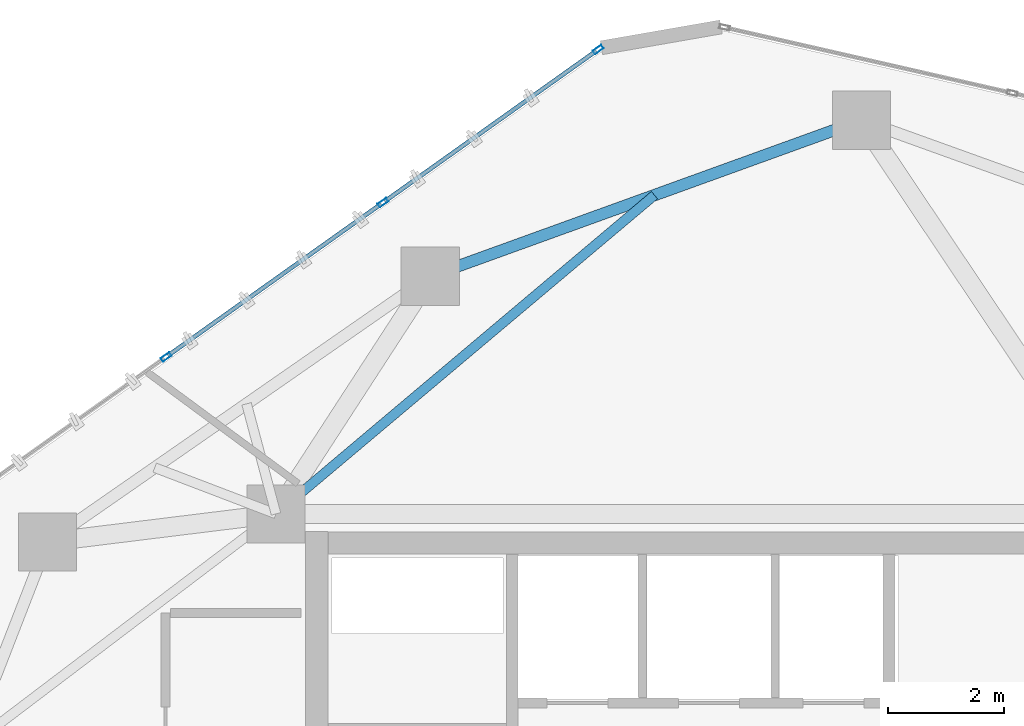
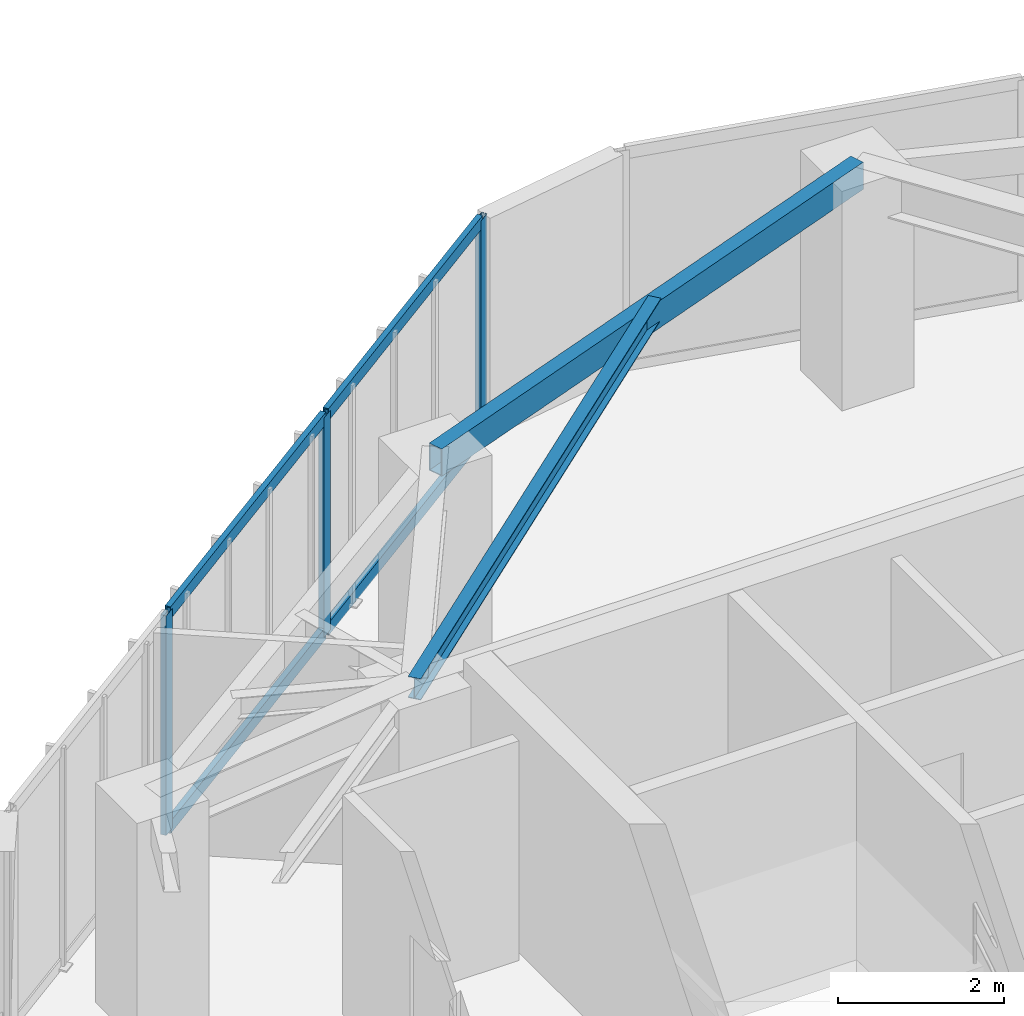
# One storey, part 12 of 19: 7 members, 2 beams, 1 element without a shape of its own.
"""IFC4 building model written with IfcOpenShell, lengths in metres."""

from ifc_helpers import new_model, si_unit, direction, frame, origin, origin_2d, place, context, subcontext, project, spatial, hollow_rectangle, i_section, extrude, source, transform, mapped, material, layer, layer_set, material_profile, profile_set, type_object, type_shapes, element, aggregate, save


model = new_model("IFC4")

# Units and contexts
model_context = context("Model", 3, precision=1e-05, world=origin(), true_north=direction((0.0, 1.0)))
body_context = subcontext(model_context, "Body", "Model", "MODEL_VIEW")
ifc_project = project(units=[si_unit("LENGTHUNIT", "METRE"), si_unit("AREAUNIT", "SQUARE_METRE"), si_unit("VOLUMEUNIT", "CUBIC_METRE"), si_unit("PLANEANGLEUNIT", "RADIAN"), si_unit("MASSUNIT", "GRAM", prefix="KILO")], contexts=[model_context])

# Site, building, storey
site_placement = place(None, origin())
site = spatial("IfcSite", under=ifc_project, at=site_placement, CompositionType="ELEMENT")
building_placement = place(site_placement, origin())
building = spatial("IfcBuilding", under=site, at=building_placement, Name="Talar Marvaseh", CompositionType="ELEMENT")
storey_placement = place(building_placement, frame((0.0, 0.0, 195.0)))
storey = spatial("IfcBuildingStorey", under=building, at=storey_placement, Name="L51", CompositionType="ELEMENT", Elevation=195.0)

# Beams
ifc_material_1 = material(Name="Steel S355", Category="steel")
ifc_material_profile_1 = material_profile(ifc_material_1, hollow_rectangle(XDim=0.199951171875, YDim=0.39990234375, WallThickness=0.013916015625, at=origin_2d()), Name="RHS400x200x14")
ifc_profile_set_1 = profile_set([ifc_material_profile_1], Name="Steel S355")
beam_type_1 = type_object("IfcBeamType", Name="Zone 3 Perimeter Spandrel Beam RHS400x200x14", PredefinedType="SPANDREL", material=ifc_profile_set_1)
beam_1_placement = place(storey_placement, frame((21.35205078125, 40.986083984375, 3.030029296875), z_axis=(0.940368006783, 0.340158803824, 0.0), x_axis=(-0.340158803824, 0.940368006783, 0.0)))
element("IfcBeam", 1, at=beam_1_placement, inside=storey, type_object=beam_type_1, Name="L51 Zone 3 Perimeter Spandrel Beam RHS400x200x14", PredefinedType="SPANDREL", context=body_context, shape_type="SweptSolid", body=[
    extrude(hollow_rectangle(XDim=0.199951171875, YDim=0.39990234375, WallThickness=0.013916015625, at=origin_2d()), origin(), (0.0, 0.0, 1.0), 7.88427734375),
])
ifc_material_profile_2 = material_profile(ifc_material_1, i_section(OverallWidth=0.166015625, OverallDepth=0.31298828125, WebThickness=0.006591796875, FlangeThickness=0.01123046875, at=origin_2d()), Name="W310x45")
ifc_profile_set_2 = profile_set([ifc_material_profile_2], Name="Steel S355")
beam_type_2 = type_object("IfcBeamType", Name="Zone 3 Secondary Floor Joist W310x45", PredefinedType="JOIST", material=ifc_profile_set_2)
beam_2_placement = place(storey_placement, frame((25.207275390625, 42.380615234375, 3.073486328125), z_axis=(-0.76486133839, -0.644194949558, 0.0), x_axis=(0.644194949558, -0.76486133839, 0.0)))
element("IfcBeam", 2, at=beam_2_placement, inside=storey, type_object=beam_type_2, Name="L51 Zone 3 Secondary Floor Joist W310x45", PredefinedType="JOIST", context=body_context, shape_type="SweptSolid", body=[
    extrude(i_section(OverallWidth=0.166015625, OverallDepth=0.31298828125, WebThickness=0.006591796875, FlangeThickness=0.01123046875, at=origin_2d()), origin(), (0.0, 0.0, 1.0), 8.5078125),
])

# Curtain wall, members
ifc_material_2 = material(Name="Architectural Aluminium", Category="aluminium")
ifc_layer = layer(ifc_material_2, 0.18994140625)
ifc_layer_set = layer_set([ifc_layer], Name="Architectural Aluminium")
curtain_wall_type = type_object("IfcCurtainWallType", Name="Unitised Solar Atelier Curtain Wall Z3", PredefinedType="NOTDEFINED", material=ifc_layer_set)
curtain_wall_placement = place(storey_placement, origin())
curtain_wall = element("IfcCurtainWall", 3, at=curtain_wall_placement, inside=storey, type_object=curtain_wall_type, Name="L51 Unitised Solar Atelier Curtain Wall Z3", PredefinedType="NOTDEFINED")
ifc_material_profile_3 = material_profile(ifc_material_2, hollow_rectangle(XDim=0.074951171875, YDim=0.179931640625, WallThickness=0.0048828125, at=origin_2d()), Name="RHS180x75x5")
ifc_profile_set_3 = profile_set([ifc_material_profile_3], Name="Architectural Aluminium")
member_type_1 = type_object("IfcMemberType", Name="Unitised Curtain Wall Standard Mullion RHS180x75x5", PredefinedType="MULLION", material=ifc_profile_set_3)
shared_shape_1 = source(origin(), body_context, "Body", "SweptSolid", [
    extrude(hollow_rectangle(XDim=0.074951171875, YDim=0.179931640625, WallThickness=0.0048828125, at=origin_2d()), origin(), (0.0, 0.0, 1.0), 3.22998046875),
])
type_shapes(member_type_1, [shared_shape_1])
member_1_placement = place(storey_placement, frame((16.810302734375, 39.598388671875, 0.0), z_axis=(0.0, 0.0, 1.0), x_axis=(-0.579739587699, 0.81480182281, 0.0)))
member_1 = element("IfcMember", 4, at=member_1_placement, type_object=member_type_1, Name="CW-Z3 mullion 2", PredefinedType="MULLION", context=body_context, shape_type="MappedRepresentation", body=[
    mapped(shared_shape_1, transform((0.0, 0.0, 0.0), x_axis=(1.0, 0.0, 0.0), y_axis=(0.0, 1.0, 0.0), z_axis=(0.0, 0.0, 1.0), scale=1.0)),
])
member_2_placement = place(storey_placement, frame((20.539794921875, 42.251953125, 0.0), z_axis=(0.0, 0.0, 1.0), x_axis=(-0.579739587699, 0.81480182281, 0.0)))
member_2 = element("IfcMember", 5, at=member_2_placement, type_object=member_type_1, Name="CW-Z3 mullion 3", PredefinedType="MULLION", context=body_context, shape_type="MappedRepresentation", body=[
    mapped(shared_shape_1, transform((0.0, 0.0, 0.0), x_axis=(1.0, 0.0, 0.0), y_axis=(0.0, 1.0, 0.0), z_axis=(0.0, 0.0, 1.0), scale=1.0)),
])
member_3_placement = place(storey_placement, frame((24.23876953125, 44.8837890625, 0.0), z_axis=(0.0, 0.0, 1.0), x_axis=(-0.579739587699, 0.81480182281, 0.0)))
member_3 = element("IfcMember", 6, at=member_3_placement, type_object=member_type_1, Name="CW-Z3 mullion 4", PredefinedType="MULLION", context=body_context, shape_type="MappedRepresentation", body=[
    mapped(shared_shape_1, transform((0.0, 0.0, 0.0), x_axis=(1.0, 0.0, 0.0), y_axis=(0.0, 1.0, 0.0), z_axis=(0.0, 0.0, 1.0), scale=1.0)),
])
ifc_material_profile_4 = material_profile(ifc_material_2, hollow_rectangle(XDim=0.074951171875, YDim=0.179931640625, WallThickness=0.0048828125, at=origin_2d()), Name="RHS180x75x5")
ifc_profile_set_4 = profile_set([ifc_material_profile_4], Name="Architectural Aluminium")
member_type_2 = type_object("IfcMemberType", Name="Unitised Curtain Wall Transom RHS180x75x5", PredefinedType="USERDEFINED", material=ifc_profile_set_4)
shared_shape_2 = source(origin(), body_context, "Body", "SweptSolid", [
    extrude(hollow_rectangle(XDim=0.074951171875, YDim=0.179931640625, WallThickness=0.0048828125, at=origin_2d()), origin(), (0.0, 0.0, 1.0), 4.502197265625),
])
member_4_placement = place(storey_placement, frame((16.8408203125, 39.6201171875, 0.03759765625), z_axis=(0.814805619055, 0.579734252184, 0.0), x_axis=(-0.579734252184, 0.814805619055, 0.0)))
member_4 = element("IfcMember", 7, at=member_4_placement, type_object=member_type_2, Name="CW-Z3 transom 2.1", ObjectType="TRANSOM", PredefinedType="USERDEFINED", context=body_context, shape_type="MappedRepresentation", body=[
    mapped(shared_shape_2, transform((0.0, 0.0, 0.0), x_axis=(1.0, 0.0, 0.0), y_axis=(0.0, 1.0, 0.0), z_axis=(0.0, 0.0, 1.0), scale=1.0)),
])
member_5_placement = place(storey_placement, frame((16.8408203125, 39.6201171875, 3.1923828125), z_axis=(0.814805619055, 0.579734252184, 0.0), x_axis=(-0.579734252184, 0.814805619055, 0.0)))
member_5 = element("IfcMember", 8, at=member_5_placement, type_object=member_type_2, Name="CW-Z3 transom 2.2", ObjectType="TRANSOM", PredefinedType="USERDEFINED", context=body_context, shape_type="MappedRepresentation", body=[
    mapped(shared_shape_2, transform((0.0, 0.0, 0.0), x_axis=(1.0, 0.0, 0.0), y_axis=(0.0, 1.0, 0.0), z_axis=(0.0, 0.0, 1.0), scale=1.0)),
])
shared_shape_3 = source(origin(), body_context, "Body", "SweptSolid", [
    extrude(hollow_rectangle(XDim=0.074951171875, YDim=0.179931640625, WallThickness=0.0048828125, at=origin_2d()), origin(), (0.0, 0.0, 1.0), 4.46484375),
])
type_shapes(member_type_2, [shared_shape_2, shared_shape_3])
member_6_placement = place(storey_placement, frame((20.5703125, 42.273681640625, 0.03759765625), z_axis=(0.814807233205, 0.579731983521, 0.0), x_axis=(-0.579731983521, 0.814807233205, 0.0)))
member_6 = element("IfcMember", 9, at=member_6_placement, type_object=member_type_2, Name="CW-Z3 transom 3.1", ObjectType="TRANSOM", PredefinedType="USERDEFINED", context=body_context, shape_type="MappedRepresentation", body=[
    mapped(shared_shape_3, transform((0.0, 0.0, 0.0), x_axis=(1.0, 0.0, 0.0), y_axis=(0.0, 1.0, 0.0), z_axis=(0.0, 0.0, 1.0), scale=1.0)),
])
member_7_placement = place(storey_placement, frame((20.5703125, 42.273681640625, 3.1923828125), z_axis=(0.814807233205, 0.579731983521, 0.0), x_axis=(-0.579731983521, 0.814807233205, 0.0)))
member_7 = element("IfcMember", 10, at=member_7_placement, type_object=member_type_2, Name="CW-Z3 transom 3.2", ObjectType="TRANSOM", PredefinedType="USERDEFINED", context=body_context, shape_type="MappedRepresentation", body=[
    mapped(shared_shape_3, transform((0.0, 0.0, 0.0), x_axis=(1.0, 0.0, 0.0), y_axis=(0.0, 1.0, 0.0), z_axis=(0.0, 0.0, 1.0), scale=1.0)),
])
aggregate(curtain_wall, [member_1, member_2, member_3, member_4, member_5, member_6, member_7])

save(model, "model.ifc")
